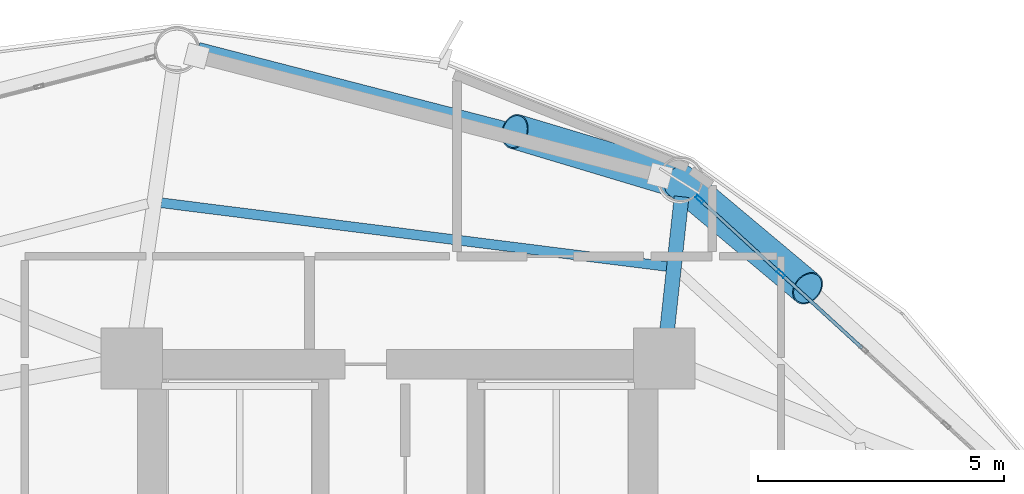
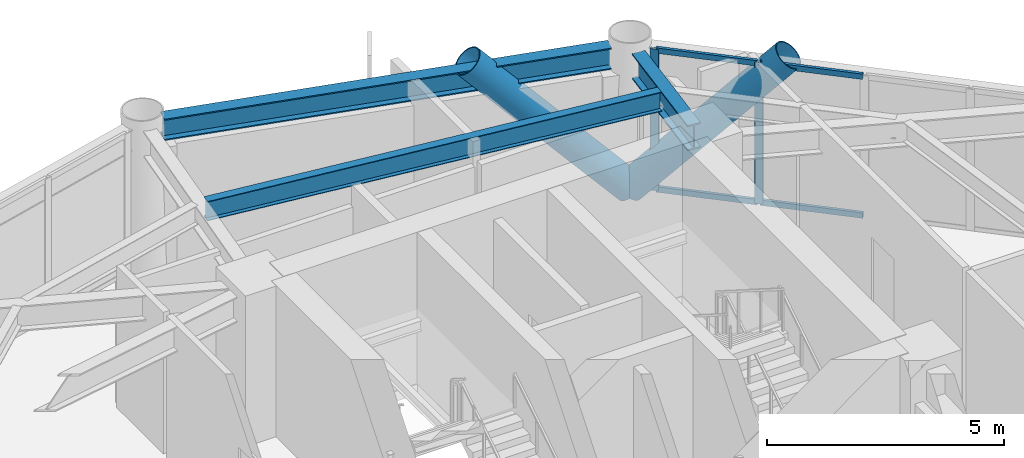
# One storey, part 19 of 25: 8 members, 3 beams, 1 element without a shape of its own.
"""IFC4 building model written with IfcOpenShell, lengths in metres."""

from ifc_helpers import new_model, si_unit, direction, frame, origin, origin_2d, place, context, subcontext, project, spatial, hollow_rectangle, hollow_circle, i_section, extrude, material, layer, layer_set, material_profile, profile_set, type_object, element, aggregate, save


model = new_model("IFC4")

# Units and contexts
model_context = context("Model", 3, precision=1e-05, world=origin(), true_north=direction((0.0, 1.0)))
body_context = subcontext(model_context, "Body", "Model", "MODEL_VIEW")
ifc_project = project(units=[si_unit("LENGTHUNIT", "METRE"), si_unit("AREAUNIT", "SQUARE_METRE"), si_unit("VOLUMEUNIT", "CUBIC_METRE"), si_unit("PLANEANGLEUNIT", "RADIAN"), si_unit("MASSUNIT", "GRAM", prefix="KILO")], contexts=[model_context])

# Site, building, storey
site_placement = place(None, origin())
site = spatial("IfcSite", under=ifc_project, at=site_placement, CompositionType="ELEMENT")
building_placement = place(site_placement, origin())
building = spatial("IfcBuilding", under=site, at=building_placement, Name="Varnakorn Sky Granary", CompositionType="ELEMENT")
storey_placement = place(building_placement, frame((0.0, 0.0, 39.300048828125)))
storey = spatial("IfcBuildingStorey", under=building, at=storey_placement, Name="L09", CompositionType="ELEMENT", Elevation=39.300048828125)

# Beams
ifc_material_1 = material(Name="Steel S355JR", Category="steel")
ifc_material_profile_1 = material_profile(ifc_material_1, i_section(OverallWidth=0.300048828125, OverallDepth=0.64990234375, WebThickness=0.01611328125, FlangeThickness=0.031005859375, at=origin_2d()), Name="HE 650 B")
ifc_profile_set_1 = profile_set([ifc_material_profile_1], Name="Steel S355JR")
beam_type_1 = type_object("IfcBeamType", Name="BM-RAD-Z1", PredefinedType="BEAM", material=ifc_profile_set_1)
beam_1_placement = place(storey_placement, frame((8.465087890625, 13.03759765625, 3.31494140625), z_axis=(0.107402955209, 0.994215572807, 0.0), x_axis=(-0.994215572807, 0.107402955209, 0.0)))
element("IfcBeam", 1, at=beam_1_placement, inside=storey, type_object=beam_type_1, Name="Radial Floor Girder RG03 L09", PredefinedType="BEAM", context=body_context, shape_type="SweptSolid", body=[
    extrude(i_section(OverallWidth=0.300048828125, OverallDepth=0.64990234375, WebThickness=0.01611328125, FlangeThickness=0.031005859375, at=origin_2d()), origin(), (0.0, 0.0, 1.0), 2.893798828125),
])
ifc_material_profile_2 = material_profile(ifc_material_1, i_section(OverallWidth=0.199951171875, OverallDepth=0.5, WebThickness=0.01025390625, FlangeThickness=0.01611328125, at=origin_2d()), Name="IPE 500")
ifc_profile_set_2 = profile_set([ifc_material_profile_2], Name="Steel S355JR")
beam_type_2 = type_object("IfcBeamType", Name="BM-SEC-Z1", PredefinedType="BEAM", material=ifc_profile_set_2)
beam_2_placement = place(storey_placement, frame((8.481689453125, 14.49365234375, 3.389892578125), z_axis=(-0.992166814642, 0.124920022106, 0.0), x_axis=(-0.124920022106, -0.992166814642, 0.0)))
element("IfcBeam", 2, at=beam_2_placement, inside=storey, type_object=beam_type_2, Name="Secondary Floor Chord Beam MSB03 L09", PredefinedType="BEAM", context=body_context, shape_type="SweptSolid", body=[
    extrude(i_section(OverallWidth=0.199951171875, OverallDepth=0.5, WebThickness=0.01025390625, FlangeThickness=0.01611328125, at=origin_2d()), origin(), (0.0, 0.0, 1.0), 10.385498046875),
])
ifc_material_profile_3 = material_profile(ifc_material_1, i_section(OverallWidth=0.300048828125, OverallDepth=0.550048828125, WebThickness=0.014892578125, FlangeThickness=0.029052734375, at=origin_2d()), Name="HE 550 B")
ifc_profile_set_3 = profile_set([ifc_material_profile_3], Name="Steel S355JR")
beam_type_3 = type_object("IfcBeamType", Name="BM-SPD-Z1", PredefinedType="SPANDREL", material=ifc_profile_set_3)
beam_3_placement = place(storey_placement, frame((8.3955078125, 16.464599609375, 3.364990234375), z_axis=(-0.968262121446, 0.249936920387, 0.0), x_axis=(-0.249936920387, -0.968262121446, 0.0)))
element("IfcBeam", 3, at=beam_3_placement, inside=storey, type_object=beam_type_3, Name="Perimeter Spandrel Ring Beam RB03 L09", PredefinedType="SPANDREL", context=body_context, shape_type="SweptSolid", body=[
    extrude(i_section(OverallWidth=0.300048828125, OverallDepth=0.550048828125, WebThickness=0.014892578125, FlangeThickness=0.029052734375, at=origin_2d()), origin(), (0.0, 0.0, 1.0), 9.77783203125),
])

# Curtain wall, members
ifc_material_2 = material(Name="Anodised Bronze Aluminium Alloy 6063-T6", Category="aluminium")
ifc_layer = layer(ifc_material_2, 0.18994140625, Name="Anodised Bronze Aluminium Alloy 6063-T6")
ifc_layer_set = layer_set([ifc_layer], Name="Anodised Bronze Aluminium Alloy 6063-T6")
curtain_wall_type = type_object("IfcCurtainWallType", Name="CW-FRM-1", PredefinedType="USERDEFINED", material=ifc_layer_set)
curtain_wall_placement = place(storey_placement, origin())
curtain_wall = element("IfcCurtainWall", 4, at=curtain_wall_placement, inside=storey, type_object=curtain_wall_type, Name="Unitised Curtain Wall CW3 CW-L09-B02", ObjectType="CURTAIN WALL", PredefinedType="USERDEFINED")
ifc_material_profile_4 = material_profile(ifc_material_2, hollow_rectangle(XDim=0.070068359375, YDim=0.18505859375, WallThickness=0.00390625, at=origin_2d()), Name="ALU MULL 70x185")
ifc_profile_set_4 = profile_set([ifc_material_profile_4], Name="Anodised Bronze Aluminium Alloy 6063-T6")
member_type_1 = type_object("IfcMemberType", Name="CW-FRM-1-MULL", PredefinedType="MULLION", material=ifc_profile_set_4)
member_1_placement = place(storey_placement, frame((9.142578125, 15.86328125, 0.0), z_axis=(0.0, 0.0, 1.0), x_axis=(0.675388643465, 0.73746198565, 0.0)))
member_1 = element("IfcMember", 5, at=member_1_placement, type_object=member_type_1, Name="CW3 mullion 1", PredefinedType="MULLION", context=body_context, shape_type="SweptSolid", body=[
    extrude(hollow_rectangle(XDim=0.070068359375, YDim=0.18505859375, WallThickness=0.00390625, at=origin_2d()), origin(), (0.0, 0.0, 1.0), 3.639892578125),
])
member_2_placement = place(storey_placement, frame((10.79931640625, 14.345947265625, 0.0), z_axis=(0.0, 0.0, 1.0), x_axis=(0.675388643465, 0.73746198565, 0.0)))
member_2 = element("IfcMember", 6, at=member_2_placement, type_object=member_type_1, Name="CW3 mullion 2", PredefinedType="MULLION", context=body_context, shape_type="SweptSolid", body=[
    extrude(hollow_rectangle(XDim=0.070068359375, YDim=0.18505859375, WallThickness=0.00390625, at=origin_2d()), origin(), (0.0, 0.0, 1.0), 3.639892578125),
])
ifc_material_profile_5 = material_profile(ifc_material_2, hollow_rectangle(XDim=0.070068359375, YDim=0.139892578125, WallThickness=0.00341796875, at=origin_2d()), Name="ALU TRAN 70x140")
ifc_profile_set_5 = profile_set([ifc_material_profile_5], Name="Anodised Bronze Aluminium Alloy 6063-T6")
member_type_2 = type_object("IfcMemberType", Name="CW-FRM-1-TRAN", PredefinedType="USERDEFINED", material=ifc_profile_set_5)
member_3_placement = place(storey_placement, frame((9.16845703125, 15.83984375, 0.034912109375), z_axis=(0.737438067317, -0.675414759146, 0.0), x_axis=(0.675414759146, 0.737438067317, 0.0)))
member_3 = element("IfcMember", 7, at=member_3_placement, type_object=member_type_2, Name="CW3 transom 1.1", ObjectType="TRANSOM", PredefinedType="USERDEFINED", context=body_context, shape_type="SweptSolid", body=[
    extrude(hollow_rectangle(XDim=0.070068359375, YDim=0.139892578125, WallThickness=0.00341796875, at=origin_2d()), origin(), (0.0, 0.0, 1.0), 2.1767578125),
])
member_4_placement = place(storey_placement, frame((9.16845703125, 15.83984375, 3.60498046875), z_axis=(0.737438067317, -0.675414759146, 0.0), x_axis=(0.675414759146, 0.737438067317, 0.0)))
member_4 = element("IfcMember", 8, at=member_4_placement, type_object=member_type_2, Name="CW3 transom 1.2", ObjectType="TRANSOM", PredefinedType="USERDEFINED", context=body_context, shape_type="SweptSolid", body=[
    extrude(hollow_rectangle(XDim=0.070068359375, YDim=0.139892578125, WallThickness=0.00341796875, at=origin_2d()), origin(), (0.0, 0.0, 1.0), 2.1767578125),
])
member_5_placement = place(storey_placement, frame((10.8251953125, 14.322509765625, 0.034912109375), z_axis=(0.737447350023, -0.675404623869, 0.0), x_axis=(0.675404623869, 0.737447350023, 0.0)))
member_5 = element("IfcMember", 9, at=member_5_placement, type_object=member_type_2, Name="CW3 transom 2.1", ObjectType="TRANSOM", PredefinedType="USERDEFINED", context=body_context, shape_type="SweptSolid", body=[
    extrude(hollow_rectangle(XDim=0.070068359375, YDim=0.139892578125, WallThickness=0.00341796875, at=origin_2d()), origin(), (0.0, 0.0, 1.0), 2.21142578125),
])
member_6_placement = place(storey_placement, frame((10.8251953125, 14.322509765625, 3.60498046875), z_axis=(0.737447350023, -0.675404623869, 0.0), x_axis=(0.675404623869, 0.737447350023, 0.0)))
member_6 = element("IfcMember", 10, at=member_6_placement, type_object=member_type_2, Name="CW3 transom 2.2", ObjectType="TRANSOM", PredefinedType="USERDEFINED", context=body_context, shape_type="SweptSolid", body=[
    extrude(hollow_rectangle(XDim=0.070068359375, YDim=0.139892578125, WallThickness=0.00341796875, at=origin_2d()), origin(), (0.0, 0.0, 1.0), 2.21142578125),
])
aggregate(curtain_wall, [member_1, member_2, member_3, member_4, member_5, member_6])

# Members
ifc_material_3 = material(Name="Steel S460M", Category="steel")
ifc_material_profile_6 = material_profile(ifc_material_3, hollow_circle(Radius=0.35546875, WallThickness=0.02490234375, at=origin_2d()), Name="CHS 711x25")
ifc_profile_set_6 = profile_set([ifc_material_profile_6], Name="Steel S460M")
member_type_3 = type_object("IfcMemberType", Name="MB-DIAG-T0", PredefinedType="BRACE", material=ifc_profile_set_6)
member_7_placement = place(storey_placement, frame((8.735595703125, 16.236083984375, 0.0), z_axis=(0.511860095256, -0.429218514041, 0.744157718558), x_axis=(0.642538877105, 0.766253085742, 0.0)))
element("IfcMember", 11, at=member_7_placement, inside=storey, type_object=member_type_3, Name="Perimeter CHS Diagrid Brace DG02 L09", PredefinedType="BRACE", context=body_context, shape_type="SweptSolid", body=[
    extrude(hollow_circle(Radius=0.35546875, WallThickness=0.02490234375, at=origin_2d()), origin(), (0.0, 0.0, 1.0), 5.093017578125),
])
member_8_placement = place(storey_placement, frame((8.735595703125, 16.236083984375, 0.0), z_axis=(-0.649914104041, 0.194997890262, 0.734566185011), x_axis=(-0.287379874154, -0.957816688063, 0.0)))
element("IfcMember", 12, at=member_8_placement, inside=storey, type_object=member_type_3, Name="Perimeter CHS Diagrid Brace DG03 L09", PredefinedType="BRACE", context=body_context, shape_type="SweptSolid", body=[
    extrude(hollow_circle(Radius=0.35546875, WallThickness=0.02490234375, at=origin_2d()), origin(), (0.0, 0.0, 1.0), 5.15966796875),
])

save(model, "model.ifc")
